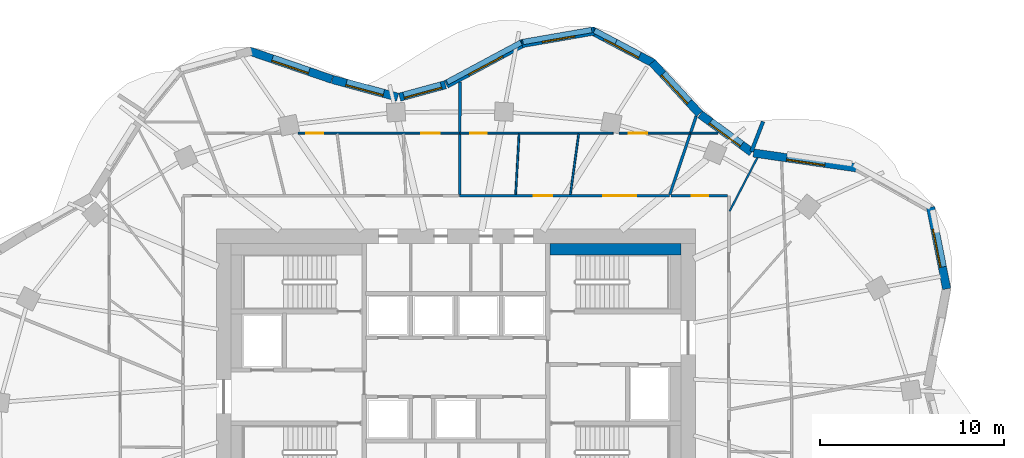
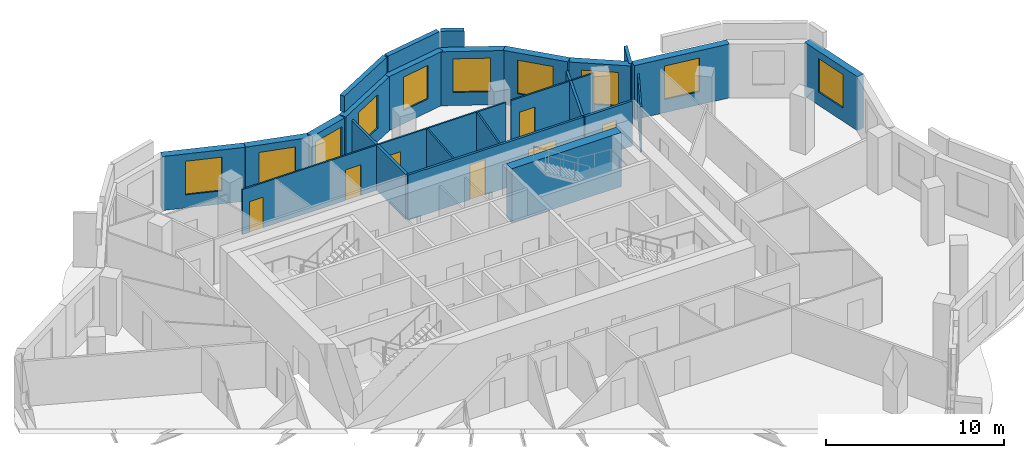
# One storey, part 8 of 10: 26 walls, 10 windows, 7 doors, 17 openings.
"""IFC4 building model written with IfcOpenShell, lengths in metres."""

from ifc_helpers import new_model, si_unit, direction, frame, frame_2d, origin, place, context, subcontext, project, spatial, rectangle, extrude, material, layer, layer_set, type_object, element, fill, save


model = new_model("IFC4")

# Units and contexts
model_context = context("Model", 3, precision=1e-05, world=origin(), true_north=direction((0.0, 1.0)))
body_context = subcontext(model_context, "Body", "Model", "MODEL_VIEW")
ifc_project = project(units=[si_unit("LENGTHUNIT", "METRE"), si_unit("AREAUNIT", "SQUARE_METRE"), si_unit("VOLUMEUNIT", "CUBIC_METRE"), si_unit("PLANEANGLEUNIT", "RADIAN"), si_unit("MASSUNIT", "GRAM", prefix="KILO")], contexts=[model_context])

# Site, building, storey
site_placement = place(None, origin())
site = spatial("IfcSite", under=ifc_project, at=site_placement, CompositionType="ELEMENT")
building_placement = place(site_placement, origin())
building = spatial("IfcBuilding", under=site, at=building_placement, Name="Rubra Terraces Tower", CompositionType="ELEMENT")
storey_placement = place(building_placement, frame((0.0, 0.0, 256.5)))
storey = spatial("IfcBuildingStorey", under=building, at=storey_placement, Name="L63", CompositionType="ELEMENT", Elevation=256.5)

# Wall, opening, window
ifc_material_1 = material(Name="Brick masonry red-brown", Category="masonry")
ifc_layer_1 = layer(ifc_material_1, 0.449951171875)
ifc_layer_set_1 = layer_set([ifc_layer_1], Name="Brick masonry red-brown")
wall_type_1 = type_object("IfcWallType", Name="Brick facade wall 450", PredefinedType="SOLIDWALL", material=ifc_layer_set_1)
wall_1_placement = place(storey_placement, frame((26.609619140625, 8.747802734375, 0.0), z_axis=(0.0, 0.0, 1.0), x_axis=(-0.193923166402, 0.981016720312, 0.0)))
wall_1 = element("IfcWall", 1, at=wall_1_placement, inside=storey, type_object=wall_type_1, Name="Facade wall L63 bay 3", PredefinedType="SOLIDWALL", context=body_context, shape_type="SweptSolid", body=[
    extrude(rectangle(XDim=4.518310546875, YDim=0.449951171875, at=frame_2d((2.25927734375, 0.0))), origin(), (0.0, 0.0, 1.0), 3.699951171875),
])
opening_1_placement = place(wall_1_placement, frame((1.209228515625, 0.0, 0.89990234375)))
opening_1 = element("IfcOpeningElement", 2, at=opening_1_placement, cuts=wall_1, Name="Opening W1B", PredefinedType="OPENING", context=body_context, shape_type="SweptSolid", body=[
    extrude(rectangle(XDim=2.10009765625, YDim=2.300048828125, at=frame_2d((1.050048828125, 1.14990234375))), frame((0.0, 0.23486328125, 0.0), z_axis=(0.0, -1.0, 0.0), x_axis=(1.0, 0.0, 0.0)), (0.0, 0.0, 1.0), 0.469970703125),
])
ifc_material_2 = material(Name="Clear glass in aluminium frame", Category="aluminium")
window_type_1 = type_object("IfcWindowType", Name="Fixed deep-set window tall storey 2100 x 2300", PartitioningType="SINGLE_PANEL", PredefinedType="WINDOW", material=ifc_material_2)
window_1_placement = place(opening_1_placement, origin())
window_1 = element("IfcWindow", 3, at=window_1_placement, inside=storey, type_object=window_type_1, Name="Window L63 bay 3", OverallHeight=2.300048828125, OverallWidth=2.10009765625, PartitioningType="SINGLE_PANEL", PredefinedType="WINDOW", context=body_context, shape_type="SweptSolid", body=[
    extrude(rectangle(XDim=2.10009765625, YDim=2.300048828125, at=frame_2d((1.050048828125, 1.14990234375))), frame((0.0, 0.135009765625, 0.0), z_axis=(0.0, -1.0, 0.0), x_axis=(1.0, 0.0, 0.0)), (0.0, 0.0, 1.0), 0.06005859375),
])
fill(opening_1, window_1)

wall_2_placement = place(storey_placement, frame((21.8251953125, 15.297119140625, 0.0), z_axis=(0.0, 0.0, 1.0), x_axis=(-0.98971474215, 0.143054986527, 0.0)))
wall_2 = element("IfcWall", 4, at=wall_2_placement, inside=storey, type_object=wall_type_1, Name="Facade wall L63 bay 5", PredefinedType="SOLIDWALL", context=body_context, shape_type="SweptSolid", body=[
    extrude(rectangle(XDim=5.7529296875, YDim=0.449951171875, at=frame_2d((2.87646484375, 0.0))), origin(), (0.0, 0.0, 1.0), 3.699951171875),
])
opening_2_placement = place(wall_2_placement, frame((1.826416015625, 0.0, 0.89990234375)))
opening_2 = element("IfcOpeningElement", 5, at=opening_2_placement, cuts=wall_2, Name="Opening W1B", PredefinedType="OPENING", context=body_context, shape_type="SweptSolid", body=[
    extrude(rectangle(XDim=2.10009765625, YDim=2.300048828125, at=frame_2d((1.050048828125, 1.14990234375))), frame((0.0, 0.23486328125, 0.0), z_axis=(0.0, -1.0, 0.0), x_axis=(1.0, 0.0, 0.0)), (0.0, 0.0, 1.0), 0.469970703125),
])
window_2_placement = place(opening_2_placement, origin())
window_2 = element("IfcWindow", 6, at=window_2_placement, inside=storey, type_object=window_type_1, Name="Window L63 bay 5", OverallHeight=2.300048828125, OverallWidth=2.10009765625, PartitioningType="SINGLE_PANEL", PredefinedType="WINDOW", context=body_context, shape_type="SweptSolid", body=[
    extrude(rectangle(XDim=2.10009765625, YDim=2.300048828125, at=frame_2d((1.050048828125, 1.14990234375))), frame((0.0, 0.135009765625, 0.0), z_axis=(0.0, -1.0, 0.0), x_axis=(1.0, 0.0, 0.0)), (0.0, 0.0, 1.0), 0.06005859375),
])
fill(opening_2, window_2)

wall_3_placement = place(storey_placement, frame((16.03564453125, 16.15771484375, 0.0), z_axis=(0.0, 0.0, 1.0), x_axis=(-0.805181432967, 0.593028549064, 0.0)))
wall_3 = element("IfcWall", 7, at=wall_3_placement, inside=storey, type_object=wall_type_1, Name="Facade wall L63 bay 6", PredefinedType="SOLIDWALL", context=body_context, shape_type="SweptSolid", body=[
    extrude(rectangle(XDim=3.468505859375, YDim=0.449951171875, at=frame_2d((1.734375, 0.0))), origin(), (0.0, 0.0, 1.0), 3.699951171875),
])
opening_3_placement = place(wall_3_placement, frame((0.684326171875, 0.0, 0.89990234375)))
opening_3 = element("IfcOpeningElement", 8, at=opening_3_placement, cuts=wall_3, Name="Opening W1B", PredefinedType="OPENING", context=body_context, shape_type="SweptSolid", body=[
    extrude(rectangle(XDim=2.10009765625, YDim=2.300048828125, at=frame_2d((1.050048828125, 1.14990234375))), frame((0.0, 0.23486328125, 0.0), z_axis=(0.0, -1.0, 0.0), x_axis=(1.0, 0.0, 0.0)), (0.0, 0.0, 1.0), 0.469970703125),
])
window_3_placement = place(opening_3_placement, origin())
window_3 = element("IfcWindow", 9, at=window_3_placement, inside=storey, type_object=window_type_1, Name="Window L63 bay 6", OverallHeight=2.300048828125, OverallWidth=2.10009765625, PartitioningType="SINGLE_PANEL", PredefinedType="WINDOW", context=body_context, shape_type="SweptSolid", body=[
    extrude(rectangle(XDim=2.10009765625, YDim=2.300048828125, at=frame_2d((1.050048828125, 1.14990234375))), frame((0.0, 0.135009765625, 0.0), z_axis=(0.0, -1.0, 0.0), x_axis=(1.0, 0.0, 0.0)), (0.0, 0.0, 1.0), 0.06005859375),
])
fill(opening_3, window_3)

wall_4_placement = place(storey_placement, frame((13.20947265625, 18.242919921875, 0.0), z_axis=(0.0, 0.0, 1.0), x_axis=(-0.677612152497, 0.735419452278, 0.0)))
wall_4 = element("IfcWall", 10, at=wall_4_placement, inside=storey, type_object=wall_type_1, Name="Facade wall L63 bay 7", PredefinedType="SOLIDWALL", context=body_context, shape_type="SweptSolid", body=[
    extrude(rectangle(XDim=3.796875, YDim=0.449951171875, at=frame_2d((1.8984375, 0.0))), origin(), (0.0, 0.0, 1.0), 3.699951171875),
])
opening_4_placement = place(wall_4_placement, frame((0.848388671875, 0.0, 0.89990234375)))
opening_4 = element("IfcOpeningElement", 11, at=opening_4_placement, cuts=wall_4, Name="Opening W1B", PredefinedType="OPENING", context=body_context, shape_type="SweptSolid", body=[
    extrude(rectangle(XDim=2.10009765625, YDim=2.300048828125, at=frame_2d((1.050048828125, 1.14990234375))), frame((0.0, 0.23486328125, 0.0), z_axis=(0.0, -1.0, 0.0), x_axis=(1.0, 0.0, 0.0)), (0.0, 0.0, 1.0), 0.469970703125),
])
window_4_placement = place(opening_4_placement, origin())
window_4 = element("IfcWindow", 12, at=window_4_placement, inside=storey, type_object=window_type_1, Name="Window L63 bay 7", OverallHeight=2.300048828125, OverallWidth=2.10009765625, PartitioningType="SINGLE_PANEL", PredefinedType="WINDOW", context=body_context, shape_type="SweptSolid", body=[
    extrude(rectangle(XDim=2.10009765625, YDim=2.300048828125, at=frame_2d((1.050048828125, 1.14990234375))), frame((0.0, 0.135009765625, 0.0), z_axis=(0.0, -1.0, 0.0), x_axis=(1.0, 0.0, 0.0)), (0.0, 0.0, 1.0), 0.06005859375),
])
fill(opening_4, window_4)

wall_5_placement = place(storey_placement, frame((10.692626953125, 20.9931640625, 0.0), z_axis=(0.0, 0.0, 1.0), x_axis=(-0.883817790726, 0.46783128668, 0.0)))
wall_5 = element("IfcWall", 13, at=wall_5_placement, inside=storey, type_object=wall_type_1, Name="Facade wall L63 bay 8", PredefinedType="SOLIDWALL", context=body_context, shape_type="SweptSolid", body=[
    extrude(rectangle(XDim=3.776611328125, YDim=0.449951171875, at=frame_2d((1.88818359375, 0.0))), origin(), (0.0, 0.0, 1.0), 3.699951171875),
])
opening_5_placement = place(wall_5_placement, frame((0.83837890625, 0.0, 0.89990234375)))
opening_5 = element("IfcOpeningElement", 14, at=opening_5_placement, cuts=wall_5, Name="Opening W1B", PredefinedType="OPENING", context=body_context, shape_type="SweptSolid", body=[
    extrude(rectangle(XDim=2.10009765625, YDim=2.300048828125, at=frame_2d((1.050048828125, 1.14990234375))), frame((0.0, 0.23486328125, 0.0), z_axis=(0.0, -1.0, 0.0), x_axis=(1.0, 0.0, 0.0)), (0.0, 0.0, 1.0), 0.469970703125),
])
window_5_placement = place(opening_5_placement, origin())
window_5 = element("IfcWindow", 15, at=window_5_placement, inside=storey, type_object=window_type_1, Name="Window L63 bay 8", OverallHeight=2.300048828125, OverallWidth=2.10009765625, PartitioningType="SINGLE_PANEL", PredefinedType="WINDOW", context=body_context, shape_type="SweptSolid", body=[
    extrude(rectangle(XDim=2.10009765625, YDim=2.300048828125, at=frame_2d((1.050048828125, 1.14990234375))), frame((0.0, 0.135009765625, 0.0), z_axis=(0.0, -1.0, 0.0), x_axis=(1.0, 0.0, 0.0)), (0.0, 0.0, 1.0), 0.06005859375),
])
fill(opening_5, window_5)

wall_6_placement = place(storey_placement, frame((7.49853515625, 22.7373046875, 0.0), z_axis=(0.0, 0.0, 1.0), x_axis=(-0.98521220506, -0.171338585849, 0.0)))
wall_6 = element("IfcWall", 16, at=wall_6_placement, inside=storey, type_object=wall_type_1, Name="Facade wall L63 bay 9", PredefinedType="SOLIDWALL", context=body_context, shape_type="SweptSolid", body=[
    extrude(rectangle(XDim=3.979736328125, YDim=0.449951171875, at=frame_2d((1.98974609375, 0.0))), origin(), (0.0, 0.0, 1.0), 3.699951171875),
])
opening_6_placement = place(wall_6_placement, frame((1.08984375, 0.0, 0.89990234375)))
opening_6 = element("IfcOpeningElement", 17, at=opening_6_placement, cuts=wall_6, Name="Opening W6B", PredefinedType="OPENING", context=body_context, shape_type="SweptSolid", body=[
    extrude(rectangle(XDim=1.800048828125, YDim=2.300048828125, at=frame_2d((0.89990234375, 1.14990234375))), frame((0.0, 0.23486328125, 0.0), z_axis=(0.0, -1.0, 0.0), x_axis=(1.0, 0.0, 0.0)), (0.0, 0.0, 1.0), 0.469970703125),
])
window_type_2 = type_object("IfcWindowType", Name="Fixed deep-set window at wind fin tall storey 1800 x 2300", PartitioningType="SINGLE_PANEL", PredefinedType="WINDOW", material=ifc_material_2)
window_6_placement = place(opening_6_placement, origin())
window_6 = element("IfcWindow", 18, at=window_6_placement, inside=storey, type_object=window_type_2, Name="Window L63 bay 9", OverallHeight=2.300048828125, OverallWidth=1.800048828125, PartitioningType="SINGLE_PANEL", PredefinedType="WINDOW", context=body_context, shape_type="SweptSolid", body=[
    extrude(rectangle(XDim=1.800048828125, YDim=2.300048828125, at=frame_2d((0.89990234375, 1.14990234375))), frame((0.0, 0.135009765625, 0.0), z_axis=(0.0, -1.0, 0.0), x_axis=(1.0, 0.0, 0.0)), (0.0, 0.0, 1.0), 0.06005859375),
])
fill(opening_6, window_6)

wall_7_placement = place(storey_placement, frame((3.6455078125, 22.07861328125, 0.0), z_axis=(0.0, 0.0, 1.0), x_axis=(-0.881279133897, -0.472596115259, 0.0)))
wall_7 = element("IfcWall", 19, at=wall_7_placement, inside=storey, type_object=wall_type_1, Name="Facade wall L63 bay 10", PredefinedType="SOLIDWALL", context=body_context, shape_type="SweptSolid", body=[
    extrude(rectangle(XDim=4.736572265625, YDim=0.449951171875, at=frame_2d((2.3681640625, 0.0))), origin(), (0.0, 0.0, 1.0), 3.699951171875),
])
opening_7_placement = place(wall_7_placement, frame((1.318115234375, 0.0, 0.89990234375)))
opening_7 = element("IfcOpeningElement", 20, at=opening_7_placement, cuts=wall_7, Name="Opening W1B", PredefinedType="OPENING", context=body_context, shape_type="SweptSolid", body=[
    extrude(rectangle(XDim=2.10009765625, YDim=2.300048828125, at=frame_2d((1.050048828125, 1.14990234375))), frame((0.0, 0.23486328125, 0.0), z_axis=(0.0, -1.0, 0.0), x_axis=(1.0, 0.0, 0.0)), (0.0, 0.0, 1.0), 0.469970703125),
])
window_7_placement = place(opening_7_placement, origin())
window_7 = element("IfcWindow", 21, at=window_7_placement, inside=storey, type_object=window_type_1, Name="Window L63 bay 10", OverallHeight=2.300048828125, OverallWidth=2.10009765625, PartitioningType="SINGLE_PANEL", PredefinedType="WINDOW", context=body_context, shape_type="SweptSolid", body=[
    extrude(rectangle(XDim=2.10009765625, YDim=2.300048828125, at=frame_2d((1.050048828125, 1.14990234375))), frame((0.0, 0.135009765625, 0.0), z_axis=(0.0, -1.0, 0.0), x_axis=(1.0, 0.0, 0.0)), (0.0, 0.0, 1.0), 0.06005859375),
])
fill(opening_7, window_7)

wall_8_placement = place(storey_placement, frame((-0.576171875, 19.8212890625, 0.0), z_axis=(0.0, 0.0, 1.0), x_axis=(-0.965009398019, -0.262215296532, 0.0)))
wall_8 = element("IfcWall", 22, at=wall_8_placement, inside=storey, type_object=wall_type_1, Name="Facade wall L63 bay 11", PredefinedType="SOLIDWALL", context=body_context, shape_type="SweptSolid", body=[
    extrude(rectangle(XDim=2.565185546875, YDim=0.449951171875, at=frame_2d((1.28271484375, 0.0))), origin(), (0.0, 0.0, 1.0), 3.699951171875),
])
opening_8_placement = place(wall_8_placement, frame((0.232666015625, 0.0, 0.89990234375)))
opening_8 = element("IfcOpeningElement", 23, at=opening_8_placement, cuts=wall_8, Name="Opening W1B", PredefinedType="OPENING", context=body_context, shape_type="SweptSolid", body=[
    extrude(rectangle(XDim=2.10009765625, YDim=2.300048828125, at=frame_2d((1.050048828125, 1.14990234375))), frame((0.0, 0.23486328125, 0.0), z_axis=(0.0, -1.0, 0.0), x_axis=(1.0, 0.0, 0.0)), (0.0, 0.0, 1.0), 0.469970703125),
])
window_8_placement = place(opening_8_placement, origin())
window_8 = element("IfcWindow", 24, at=window_8_placement, inside=storey, type_object=window_type_1, Name="Window L63 bay 11", OverallHeight=2.300048828125, OverallWidth=2.10009765625, PartitioningType="SINGLE_PANEL", PredefinedType="WINDOW", context=body_context, shape_type="SweptSolid", body=[
    extrude(rectangle(XDim=2.10009765625, YDim=2.300048828125, at=frame_2d((1.050048828125, 1.14990234375))), frame((0.0, 0.135009765625, 0.0), z_axis=(0.0, -1.0, 0.0), x_axis=(1.0, 0.0, 0.0)), (0.0, 0.0, 1.0), 0.06005859375),
])
fill(opening_8, window_8)

wall_9_placement = place(storey_placement, frame((-3.164306640625, 19.147216796875, 0.0), z_axis=(0.0, 0.0, 1.0), x_axis=(-0.965039479998, 0.262104563191, 0.0)))
wall_9 = element("IfcWall", 25, at=wall_9_placement, inside=storey, type_object=wall_type_1, Name="Facade wall L63 bay 12", PredefinedType="SOLIDWALL", context=body_context, shape_type="SweptSolid", body=[
    extrude(rectangle(XDim=3.671875, YDim=0.449951171875, at=frame_2d((1.8359375, 0.0))), origin(), (0.0, 0.0, 1.0), 3.699951171875),
])
opening_9_placement = place(wall_9_placement, frame((0.785888671875, 0.0, 0.89990234375)))
opening_9 = element("IfcOpeningElement", 26, at=opening_9_placement, cuts=wall_9, Name="Opening W1B", PredefinedType="OPENING", context=body_context, shape_type="SweptSolid", body=[
    extrude(rectangle(XDim=2.10009765625, YDim=2.300048828125, at=frame_2d((1.050048828125, 1.14990234375))), frame((0.0, 0.23486328125, 0.0), z_axis=(0.0, -1.0, 0.0), x_axis=(1.0, 0.0, 0.0)), (0.0, 0.0, 1.0), 0.469970703125),
])
window_9_placement = place(opening_9_placement, origin())
window_9 = element("IfcWindow", 27, at=window_9_placement, inside=storey, type_object=window_type_1, Name="Window L63 bay 12", OverallHeight=2.300048828125, OverallWidth=2.10009765625, PartitioningType="SINGLE_PANEL", PredefinedType="WINDOW", context=body_context, shape_type="SweptSolid", body=[
    extrude(rectangle(XDim=2.10009765625, YDim=2.300048828125, at=frame_2d((1.050048828125, 1.14990234375))), frame((0.0, 0.135009765625, 0.0), z_axis=(0.0, -1.0, 0.0), x_axis=(1.0, 0.0, 0.0)), (0.0, 0.0, 1.0), 0.06005859375),
])
fill(opening_9, window_9)

wall_10_placement = place(storey_placement, frame((-6.722900390625, 20.114013671875, 0.0), z_axis=(0.0, 0.0, 1.0), x_axis=(-0.945947299026, 0.324320377815, 0.0)))
wall_10 = element("IfcWall", 28, at=wall_10_placement, inside=storey, type_object=wall_type_1, Name="Facade wall L63 bay 13", PredefinedType="SOLIDWALL", context=body_context, shape_type="SweptSolid", body=[
    extrude(rectangle(XDim=4.74462890625, YDim=0.449951171875, at=frame_2d((2.372314453125, 0.0))), origin(), (0.0, 0.0, 1.0), 3.699951171875),
])
opening_10_placement = place(wall_10_placement, frame((1.322265625, 0.0, 0.89990234375)))
opening_10 = element("IfcOpeningElement", 29, at=opening_10_placement, cuts=wall_10, Name="Opening W1B", PredefinedType="OPENING", context=body_context, shape_type="SweptSolid", body=[
    extrude(rectangle(XDim=2.10009765625, YDim=2.300048828125, at=frame_2d((1.050048828125, 1.14990234375))), frame((0.0, 0.23486328125, 0.0), z_axis=(0.0, -1.0, 0.0), x_axis=(1.0, 0.0, 0.0)), (0.0, 0.0, 1.0), 0.469970703125),
])
window_10_placement = place(opening_10_placement, origin())
window_10 = element("IfcWindow", 30, at=window_10_placement, inside=storey, type_object=window_type_1, Name="Window L63 bay 13", OverallHeight=2.300048828125, OverallWidth=2.10009765625, PartitioningType="SINGLE_PANEL", PredefinedType="WINDOW", context=body_context, shape_type="SweptSolid", body=[
    extrude(rectangle(XDim=2.10009765625, YDim=2.300048828125, at=frame_2d((1.050048828125, 1.14990234375))), frame((0.0, 0.135009765625, 0.0), z_axis=(0.0, -1.0, 0.0), x_axis=(1.0, 0.0, 0.0)), (0.0, 0.0, 1.0), 0.06005859375),
])
fill(opening_10, window_10)

# Walls
ifc_layer_2 = layer(ifc_material_1, 0.300048828125)
ifc_layer_set_2 = layer_set([ifc_layer_2], Name="Brick masonry red-brown")
wall_type_2 = type_object("IfcWallType", Name="Brick parapet 300", PredefinedType="PARAPET", material=ifc_layer_set_2)
wall_11_placement = place(storey_placement, frame((8.681640625, 22.142578125, 3.89990234375), z_axis=(0.0, 0.0, 1.0), x_axis=(-0.883787916347, 0.467887720419, 0.0)))
element("IfcWall", 31, at=wall_11_placement, inside=storey, type_object=wall_type_2, Name="Parapet L63 bay 8", PredefinedType="PARAPET", context=body_context, shape_type="SweptSolid", body=[
    extrude(rectangle(XDim=1.3291015625, YDim=0.300048828125, at=frame_2d((0.66455078125, 0.0))), origin(), (0.0, 0.0, 1.0), 1.10009765625),
])
wall_12_placement = place(storey_placement, frame((7.35498046875, 22.78857421875, 3.89990234375), z_axis=(0.0, 0.0, 1.0), x_axis=(-0.985197529684, -0.171422949176, 0.0)))
element("IfcWall", 32, at=wall_12_placement, inside=storey, type_object=wall_type_2, Name="Parapet L63 bay 9", PredefinedType="PARAPET", context=body_context, shape_type="SweptSolid", body=[
    extrude(rectangle(XDim=3.77978515625, YDim=0.300048828125, at=frame_2d((1.889892578125, 0.0))), origin(), (0.0, 0.0, 1.0), 1.10009765625),
])
wall_13_placement = place(storey_placement, frame((3.52978515625, 22.105712890625, 3.89990234375), z_axis=(0.0, 0.0, 1.0), x_axis=(-0.881258931682, -0.472633785643, 0.0)))
element("IfcWall", 33, at=wall_13_placement, inside=storey, type_object=wall_type_2, Name="Parapet L63 bay 10", PredefinedType="PARAPET", context=body_context, shape_type="SweptSolid", body=[
    extrude(rectangle(XDim=4.55029296875, YDim=0.300048828125, at=frame_2d((2.275146484375, 0.0))), origin(), (0.0, 0.0, 1.0), 1.10009765625),
])
ifc_layer_3 = layer(ifc_material_1, 0.199951171875)
ifc_layer_set_3 = layer_set([ifc_layer_3], Name="Brick masonry red-brown")
wall_type_3 = type_object("IfcWallType", Name="Brick wind fin 200", PredefinedType="SOLIDWALL", material=ifc_layer_set_3)
wall_14_placement = place(storey_placement, frame((16.01904296875, 16.195068359375, 0.0), z_axis=(0.0, 0.0, 1.0), x_axis=(0.362641522028, 0.931928713208, 0.0)))
element("IfcWall", 34, at=wall_14_placement, inside=storey, type_object=wall_type_3, Name="Wind fin L63 4", PredefinedType="SOLIDWALL", context=body_context, shape_type="SweptSolid", body=[
    extrude(rectangle(XDim=1.749755859375, YDim=0.199951171875, at=frame_2d((0.875, 0.0))), origin(), (0.0, 0.0, 1.0), 3.699951171875),
])

# Wall, openings, doors
ifc_material_3 = material(Name="Plasterboard on steel stud, mineral wool infill", Category="steel")
ifc_layer_4 = layer(ifc_material_3, 0.14990234375)
ifc_layer_set_4 = layer_set([ifc_layer_4], Name="Plasterboard on steel stud, mineral wool infill")
wall_type_4 = type_object("IfcWallType", Name="CORRIDOR PARTITION 150", PredefinedType="PARTITIONING", material=ifc_layer_set_4)
wall_15_placement = place(storey_placement, frame((11.572509765625, 13.800048828125, 0.0), z_axis=(0.0, 0.0, 1.0), x_axis=(-1.0, 0.0, 0.0)))
wall_15 = element("IfcWall", 35, at=wall_15_placement, inside=storey, type_object=wall_type_4, Name="PARTITION", PredefinedType="PARTITIONING", context=body_context, shape_type="SweptSolid", body=[
    extrude(rectangle(XDim=11.372802734375, YDim=0.14990234375, at=frame_2d((5.6865234375, 0.0))), origin(), (0.0, 0.0, 1.0), 3.083984375),
])
opening_11_placement = place(wall_15_placement, frame((1.7900390625, 0.0, 0.0)))
opening_11 = element("IfcOpeningElement", 36, at=opening_11_placement, cuts=wall_15, Name="Opening 63-101", PredefinedType="OPENING", context=body_context, shape_type="SweptSolid", body=[
    extrude(rectangle(XDim=1.800048828125, YDim=2.10009765625, at=frame_2d((0.89990234375, 1.050048828125))), frame((0.0, 0.0849609375, 0.0), z_axis=(0.0, -1.0, 0.0), x_axis=(1.0, 0.0, 0.0)), (0.0, 0.0, 1.0), 0.169921875),
])
opening_12_placement = place(wall_15_placement, frame((6.360107421875, 0.0, 0.0)))
opening_12 = element("IfcOpeningElement", 37, at=opening_12_placement, cuts=wall_15, Name="Opening 63-103", PredefinedType="OPENING", context=body_context, shape_type="SweptSolid", body=[
    extrude(rectangle(XDim=1.0, YDim=2.39990234375, at=frame_2d((0.5, 1.199951171875))), frame((0.0, 0.0849609375, 0.0), z_axis=(0.0, -1.0, 0.0), x_axis=(1.0, 0.0, 0.0)), (0.0, 0.0, 1.0), 0.169921875),
])
ifc_material_4 = material(Name="Glazed aluminium meeting door leaf", Category="aluminium")
door_type_1 = type_object("IfcDoorType", Name="MEETING ROOM GLAZED DOOR 1000 X 2400", OperationType="SINGLE_SWING_LEFT", PredefinedType="DOOR", material=ifc_material_4)
door_1_placement = place(opening_12_placement, origin())
door_1 = element("IfcDoor", 38, at=door_1_placement, inside=storey, type_object=door_type_1, Name="DOOR 63-103", OperationType="SINGLE_SWING_RIGHT", OverallHeight=2.39990234375, OverallWidth=1.0, PredefinedType="DOOR", context=body_context, shape_type="SweptSolid", body=[
    extrude(rectangle(XDim=1.0, YDim=2.39990234375, at=frame_2d((0.5, 1.199951171875))), frame((0.0, 0.02490234375, 0.0), z_axis=(0.0, -1.0, 0.0), x_axis=(1.0, 0.0, 0.0)), (0.0, 0.0, 1.0), 0.050048828125),
])
fill(opening_12, door_1)
ifc_material_5 = material(Name="Painted timber door leaf, double", Category="wood")
door_type_2 = type_object("IfcDoorType", Name="ROOM DOUBLE DOOR 1800 X 2100", OperationType="DOUBLE_DOOR_SINGLE_SWING", PredefinedType="DOOR", material=ifc_material_5)
door_2_placement = place(opening_11_placement, origin())
door_2 = element("IfcDoor", 39, at=door_2_placement, inside=storey, type_object=door_type_2, Name="DOOR 63-101", OperationType="DOUBLE_DOOR_SINGLE_SWING", OverallHeight=2.10009765625, OverallWidth=1.800048828125, PredefinedType="DOOR", context=body_context, shape_type="SweptSolid", body=[
    extrude(rectangle(XDim=1.800048828125, YDim=2.10009765625, at=frame_2d((0.89990234375, 1.050048828125))), frame((0.0, 0.02490234375, 0.0), z_axis=(0.0, -1.0, 0.0), x_axis=(1.0, 0.0, 0.0)), (0.0, 0.0, 1.0), 0.050048828125),
])
fill(opening_11, door_2)

# Wall, opening, door
wall_16_placement = place(storey_placement, frame((14.72509765625, 13.800048828125, 0.0), z_axis=(0.0, 0.0, 1.0), x_axis=(-1.0, 0.0, 0.0)))
wall_16 = element("IfcWall", 40, at=wall_16_placement, inside=storey, type_object=wall_type_4, Name="PARTITION", PredefinedType="PARTITIONING", context=body_context, shape_type="SweptSolid", body=[
    extrude(rectangle(XDim=3.07763671875, YDim=0.14990234375, at=frame_2d((1.538818359375, 0.0))), origin(), (0.0, 0.0, 1.0), 3.083984375),
])
opening_13_placement = place(wall_16_placement, frame((1.050048828125, 0.0, 0.0)))
opening_13 = element("IfcOpeningElement", 41, at=opening_13_placement, cuts=wall_16, Name="Opening 63-137", PredefinedType="OPENING", context=body_context, shape_type="SweptSolid", body=[
    extrude(rectangle(XDim=0.89990234375, YDim=2.10009765625, at=frame_2d((0.449951171875, 1.050048828125))), frame((0.0, 0.0849609375, 0.0), z_axis=(0.0, -1.0, 0.0), x_axis=(1.0, 0.0, 0.0)), (0.0, 0.0, 1.0), 0.169921875),
])
ifc_material_6 = material(Name="Painted timber door leaf", Category="wood")
door_type_3 = type_object("IfcDoorType", Name="BATHROOM DOOR 900 X 2100", OperationType="SINGLE_SWING_LEFT", PredefinedType="DOOR", material=ifc_material_6)
door_3_placement = place(opening_13_placement, origin())
door_3 = element("IfcDoor", 42, at=door_3_placement, inside=storey, type_object=door_type_3, Name="DOOR 63-137", OperationType="SINGLE_SWING_RIGHT", OverallHeight=2.10009765625, OverallWidth=0.89990234375, PredefinedType="DOOR", context=body_context, shape_type="SweptSolid", body=[
    extrude(rectangle(XDim=0.89990234375, YDim=2.10009765625, at=frame_2d((0.449951171875, 1.050048828125))), frame((0.0, 0.02490234375, 0.0), z_axis=(0.0, -1.0, 0.0), x_axis=(1.0, 0.0, 0.0)), (0.0, 0.0, 1.0), 0.050048828125),
])
fill(opening_13, door_3)

# Wall
ifc_material_7 = material(Name="Concrete C40", Category="concrete")
ifc_layer_5 = layer(ifc_material_7, 0.60009765625)
ifc_layer_set_5 = layer_set([ifc_layer_5], Name="Concrete C40")
wall_type_5 = type_object("IfcWallType", Name="Core lining wall 600 concrete", PredefinedType="SOLIDWALL", material=ifc_layer_set_5)
wall_17_placement = place(storey_placement, frame((12.199951171875, 10.89990234375, 0.0), z_axis=(0.0, 0.0, 1.0), x_axis=(-1.0, 0.0, 0.0)))
element("IfcWall", 43, at=wall_17_placement, inside=storey, type_object=wall_type_5, Name="CORE LINING WALL L63", PredefinedType="SOLIDWALL", context=body_context, shape_type="SweptSolid", body=[
    extrude(rectangle(XDim=7.099853515625, YDim=0.60009765625, at=frame_2d((3.5498046875, 0.0))), origin(), (0.0, 0.0, 1.0), 3.699951171875),
])

# Wall, opening, door
ifc_material_8 = material(Name="Plasterboard on steel stud", Category="steel")
ifc_layer_6 = layer(ifc_material_8, 0.10009765625)
ifc_layer_set_6 = layer_set([ifc_layer_6], Name="Plasterboard on steel stud")
wall_type_6 = type_object("IfcWallType", Name="ROOM PARTITION 100", PredefinedType="PARTITIONING", material=ifc_layer_set_6)
wall_18_placement = place(storey_placement, frame((0.227783203125, 17.199951171875, 0.0), z_axis=(0.0, 0.0, 1.0), x_axis=(1.0, 0.0, 0.0)))
wall_18 = element("IfcWall", 44, at=wall_18_placement, inside=storey, type_object=wall_type_6, Name="PARTITION", PredefinedType="PARTITIONING", context=body_context, shape_type="SweptSolid", body=[
    extrude(rectangle(XDim=8.29345703125, YDim=0.10009765625, at=frame_2d((4.146728515625, 0.0))), origin(), (0.0, 0.0, 1.0), 3.083984375),
])
opening_14_placement = place(wall_18_placement, frame((0.550048828125, 0.0, 0.0)))
opening_14 = element("IfcOpeningElement", 45, at=opening_14_placement, cuts=wall_18, Name="Opening 63-104", PredefinedType="OPENING", context=body_context, shape_type="SweptSolid", body=[
    extrude(rectangle(XDim=0.89990234375, YDim=2.10009765625, at=frame_2d((0.449951171875, 1.050048828125))), frame((0.0, 0.06005859375, 0.0), z_axis=(0.0, -1.0, 0.0), x_axis=(1.0, 0.0, 0.0)), (0.0, 0.0, 1.0), 0.1201171875),
])
door_type_4 = type_object("IfcDoorType", Name="ROOM DOOR 900 X 2100", OperationType="SINGLE_SWING_LEFT", PredefinedType="DOOR", material=ifc_material_6)
door_4_placement = place(opening_14_placement, origin())
door_4 = element("IfcDoor", 46, at=door_4_placement, inside=storey, type_object=door_type_4, Name="DOOR 63-104", OperationType="SINGLE_SWING_LEFT", OverallHeight=2.10009765625, OverallWidth=0.89990234375, PredefinedType="DOOR", context=body_context, shape_type="SweptSolid", body=[
    extrude(rectangle(XDim=0.89990234375, YDim=2.10009765625, at=frame_2d((0.449951171875, 1.050048828125))), frame((0.0, 0.02490234375, 0.0), z_axis=(0.0, -1.0, 0.0), x_axis=(1.0, 0.0, 0.0)), (0.0, 0.0, 1.0), 0.050048828125),
])
fill(opening_14, door_4)

wall_19_placement = place(storey_placement, frame((8.84521484375, 17.199951171875, 0.0), z_axis=(0.0, 0.0, 1.0), x_axis=(1.0, 0.0, 0.0)))
wall_19 = element("IfcWall", 47, at=wall_19_placement, inside=storey, type_object=wall_type_6, Name="PARTITION", PredefinedType="PARTITIONING", context=body_context, shape_type="SweptSolid", body=[
    extrude(rectangle(XDim=3.850830078125, YDim=0.10009765625, at=frame_2d((1.92529296875, 0.0))), origin(), (0.0, 0.0, 1.0), 3.083984375),
])
opening_15_placement = place(wall_19_placement, frame((0.532958984375, 0.0, 0.0)))
opening_15 = element("IfcOpeningElement", 48, at=opening_15_placement, cuts=wall_19, Name="Opening 63-102", PredefinedType="OPENING", context=body_context, shape_type="SweptSolid", body=[
    extrude(rectangle(XDim=1.0, YDim=2.10009765625, at=frame_2d((0.5, 1.050048828125))), frame((0.0, 0.06005859375, 0.0), z_axis=(0.0, -1.0, 0.0), x_axis=(1.0, 0.0, 0.0)), (0.0, 0.0, 1.0), 0.1201171875),
])
door_type_5 = type_object("IfcDoorType", Name="ROOM DOOR 1000 X 2100", OperationType="SINGLE_SWING_LEFT", PredefinedType="DOOR", material=ifc_material_6)
door_5_placement = place(opening_15_placement, origin())
door_5 = element("IfcDoor", 49, at=door_5_placement, inside=storey, type_object=door_type_5, Name="DOOR 63-102", OperationType="SINGLE_SWING_LEFT", OverallHeight=2.10009765625, OverallWidth=1.0, PredefinedType="DOOR", context=body_context, shape_type="SweptSolid", body=[
    extrude(rectangle(XDim=1.0, YDim=2.10009765625, at=frame_2d((0.5, 1.050048828125))), frame((0.0, 0.02490234375, 0.0), z_axis=(0.0, -1.0, 0.0), x_axis=(1.0, 0.0, 0.0)), (0.0, 0.0, 1.0), 0.050048828125),
])
fill(opening_15, door_5)

# Walls
wall_20_placement = place(storey_placement, frame((6.203369140625, 13.874267578125, 0.0), z_axis=(0.0, 0.0, 1.0), x_axis=(0.135920343856, 0.990719768717, 0.0)))
element("IfcWall", 50, at=wall_20_placement, inside=storey, type_object=wall_type_6, Name="PARTITION", PredefinedType="PARTITIONING", context=body_context, shape_type="SweptSolid", body=[
    extrude(rectangle(XDim=3.306884765625, YDim=0.10009765625, at=frame_2d((1.6533203125, 0.0))), origin(), (0.0, 0.0, 1.0), 3.083984375),
])
wall_21_placement = place(storey_placement, frame((3.235595703125, 13.875, 0.0), z_axis=(0.0, 0.0, 1.0), x_axis=(0.056636488477, 0.998394865859, 0.0)))
element("IfcWall", 51, at=wall_21_placement, inside=storey, type_object=wall_type_6, Name="PARTITION", PredefinedType="PARTITIONING", context=body_context, shape_type="SweptSolid", body=[
    extrude(rectangle(XDim=3.280517578125, YDim=0.10009765625, at=frame_2d((1.64013671875, 0.0))), origin(), (0.0, 0.0, 1.0), 3.083984375),
])

# Wall, openings, doors
wall_22_placement = place(storey_placement, frame((-8.56591796875, 17.199951171875, 0.0), z_axis=(0.0, 0.0, 1.0), x_axis=(1.0, 0.0, 0.0)))
wall_22 = element("IfcWall", 52, at=wall_22_placement, inside=storey, type_object=wall_type_6, Name="PARTITION", PredefinedType="PARTITIONING", context=body_context, shape_type="SweptSolid", body=[
    extrude(rectangle(XDim=8.753662109375, YDim=0.10009765625, at=frame_2d((4.376953125, 0.0))), origin(), (0.0, 0.0, 1.0), 3.083984375),
])
opening_16_placement = place(wall_22_placement, frame((6.674072265625, 0.0, 0.0)))
opening_16 = element("IfcOpeningElement", 53, at=opening_16_placement, cuts=wall_22, Name="Opening 63-106", PredefinedType="OPENING", context=body_context, shape_type="SweptSolid", body=[
    extrude(rectangle(XDim=1.0, YDim=2.10009765625, at=frame_2d((0.5, 1.050048828125))), frame((0.0, 0.06005859375, 0.0), z_axis=(0.0, -1.0, 0.0), x_axis=(1.0, 0.0, 0.0)), (0.0, 0.0, 1.0), 0.1201171875),
])
opening_17_placement = place(wall_22_placement, frame((0.4541015625, 0.0, 0.0)))
opening_17 = element("IfcOpeningElement", 54, at=opening_17_placement, cuts=wall_22, Name="Opening 63-108", PredefinedType="OPENING", context=body_context, shape_type="SweptSolid", body=[
    extrude(rectangle(XDim=0.89990234375, YDim=2.10009765625, at=frame_2d((0.449951171875, 1.050048828125))), frame((0.0, 0.06005859375, 0.0), z_axis=(0.0, -1.0, 0.0), x_axis=(1.0, 0.0, 0.0)), (0.0, 0.0, 1.0), 0.1201171875),
])
door_6_placement = place(opening_16_placement, origin())
door_6 = element("IfcDoor", 55, at=door_6_placement, inside=storey, type_object=door_type_5, Name="DOOR 63-106", OperationType="SINGLE_SWING_LEFT", OverallHeight=2.10009765625, OverallWidth=1.0, PredefinedType="DOOR", context=body_context, shape_type="SweptSolid", body=[
    extrude(rectangle(XDim=1.0, YDim=2.10009765625, at=frame_2d((0.5, 1.050048828125))), frame((0.0, 0.02490234375, 0.0), z_axis=(0.0, -1.0, 0.0), x_axis=(1.0, 0.0, 0.0)), (0.0, 0.0, 1.0), 0.050048828125),
])
fill(opening_16, door_6)
door_7_placement = place(opening_17_placement, origin())
door_7 = element("IfcDoor", 56, at=door_7_placement, inside=storey, type_object=door_type_4, Name="DOOR 63-108", OperationType="SINGLE_SWING_LEFT", OverallHeight=2.10009765625, OverallWidth=0.89990234375, PredefinedType="DOOR", context=body_context, shape_type="SweptSolid", body=[
    extrude(rectangle(XDim=0.89990234375, YDim=2.10009765625, at=frame_2d((0.449951171875, 1.050048828125))), frame((0.0, 0.02490234375, 0.0), z_axis=(0.0, -1.0, 0.0), x_axis=(1.0, 0.0, 0.0)), (0.0, 0.0, 1.0), 0.050048828125),
])
fill(opening_17, door_7)

# Walls
wall_23_placement = place(storey_placement, frame((12.73828125, 17.199951171875, 0.0), z_axis=(0.0, 0.0, 1.0), x_axis=(1.0, 0.0, 0.0)))
element("IfcWall", 57, at=wall_23_placement, inside=storey, type_object=wall_type_6, Name="PARTITION", PredefinedType="PARTITIONING", context=body_context, shape_type="SweptSolid", body=[
    extrude(rectangle(XDim=1.46923828125, YDim=0.10009765625, at=frame_2d((0.734619140625, 0.0))), origin(), (0.0, 0.0, 1.0), 3.083984375),
])
wall_24_placement = place(storey_placement, frame((14.83447265625, 12.95556640625, 0.0), z_axis=(0.0, 0.0, 1.0), x_axis=(0.460140859441, 0.887845926652, 0.0)))
element("IfcWall", 58, at=wall_24_placement, inside=storey, type_object=wall_type_6, Name="PARTITION", PredefinedType="PARTITIONING", context=body_context, shape_type="SweptSolid", body=[
    extrude(rectangle(XDim=3.274169921875, YDim=0.10009765625, at=frame_2d((1.63720703125, 0.0))), origin(), (0.0, 0.0, 1.0), 3.083984375),
])
ifc_layer_7 = layer(ifc_material_8, 0.14990234375)
ifc_layer_set_7 = layer_set([ifc_layer_7], Name="Plasterboard on steel stud")
wall_type_7 = type_object("IfcWallType", Name="ROOM PARTITION 150", PredefinedType="PARTITIONING", material=ifc_layer_set_7)
wall_25_placement = place(storey_placement, frame((13.024169921875, 18.112060546875, 0.0), z_axis=(0.0, 0.0, 1.0), x_axis=(-0.319057942095, -0.947735210692, 0.0)))
element("IfcWall", 59, at=wall_25_placement, inside=storey, type_object=wall_type_7, Name="PARTITION", PredefinedType="PARTITIONING", context=body_context, shape_type="SweptSolid", body=[
    extrude(rectangle(XDim=4.474853515625, YDim=0.14990234375, at=frame_2d((2.2373046875, 0.0))), origin(), (0.0, 0.0, 1.0), 3.083984375),
])
wall_26_placement = place(storey_placement, frame((0.21435546875, 19.978759765625, 0.0), z_axis=(0.0, 0.0, 1.0), x_axis=(-0.002359899032, -0.999997215434, 0.0)))
element("IfcWall", 60, at=wall_26_placement, inside=storey, type_object=wall_type_7, Name="PARTITION", PredefinedType="PARTITIONING", context=body_context, shape_type="SweptSolid", body=[
    extrude(rectangle(XDim=6.103759765625, YDim=0.14990234375, at=frame_2d((3.0517578125, 0.0))), origin(), (0.0, 0.0, 1.0), 3.083984375),
])

save(model, "model.ifc")
